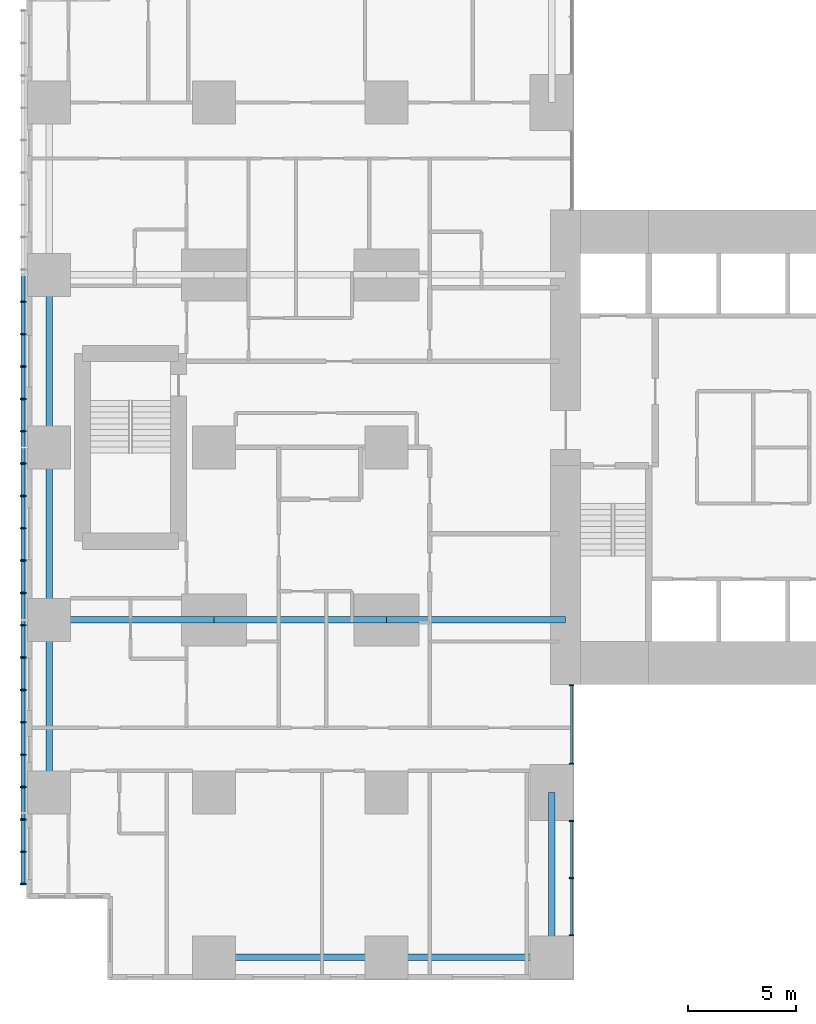
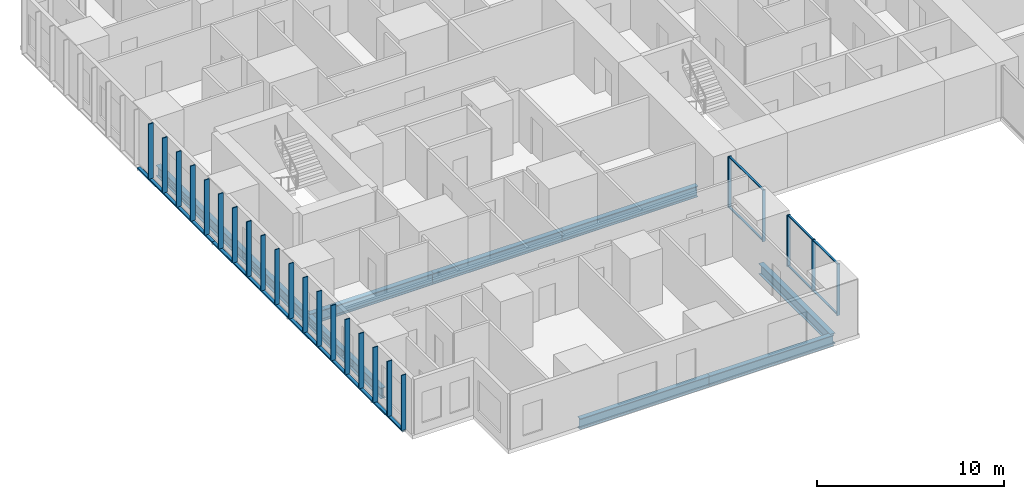
# One storey, part 2 of 20: 33 members, 9 beams, 2 elements without a shape of their own.
"""IFC4 building model written with IfcOpenShell, lengths in metres."""

import ifcopenshell
import ifcopenshell.guid

model = None  # the IFC model being written
_history = None  # IfcOwnerHistory: only IFC2X3 demands one
_inside = {}  # id of a spatial element -> (the spatial element, [elements in it])
_under = {}  # id of a project, library or spatial element -> (it, [spatial elements below it])
_declared = {}  # id of a project -> (the project, [libraries it declares])
_typed = {}  # id of a type object -> (the type object, [elements of that type])
_made_of = {}  # id of a material, layer set ... -> (it, [elements and type objects made of it])


def new_model(schema):
    """Start an empty IFC model of exactly this schema.

    Asked for "IFC4X3", IfcOpenShell would pick the latest addendum, in which some entities
    have other attributes; the version numbers below select the first issue.
    IFC2X3 requires an IfcOwnerHistory on every rooted entity: one is made here for all.
    """
    global model, _history
    if schema == "IFC4X3":
        model = ifcopenshell.file(schema_version=(4, 3, 0, 0))
    else:
        model = ifcopenshell.file(schema=schema)
    _inside.clear()
    _under.clear()
    _declared.clear()
    _typed.clear()
    _made_of.clear()
    _history = None
    if model.schema == "IFC2X3":
        org = make("IfcOrganization", Name="unknown")
        user = make(
            "IfcPersonAndOrganization",
            ThePerson=make("IfcPerson", FamilyName="unknown"),
            TheOrganization=org,
        )
        app = make(
            "IfcApplication",
            ApplicationDeveloper=org,
            Version="unknown",
            ApplicationFullName="unknown",
            ApplicationIdentifier="unknown",
        )
        _history = make(
            "IfcOwnerHistory",
            OwningUser=user,
            OwningApplication=app,
            ChangeAction="ADDED",
            CreationDate=0,
        )
    return model


def make(cls, **values):
    """One entity of the class cls with the attributes given. An attribute that is None is left unset."""
    return model.create_entity(
        cls, **{name: value for name, value in values.items() if value is not None}
    )


def rooted(cls, **values):
    """An entity with a GlobalId (a new one), such as an element, a storey or a relation."""
    return make(cls, GlobalId=ifcopenshell.guid.new(), OwnerHistory=_history, **values)


def si_unit(unit_type, name, prefix=None):
    """IfcSIUnit, for example si_unit("LENGTHUNIT", "METRE", prefix="MILLI")."""
    return make("IfcSIUnit", UnitType=unit_type, Prefix=prefix, Name=name)


def assignment(units):
    """IfcUnitAssignment: the units of a project."""
    return None if units is None else make("IfcUnitAssignment", Units=units)


def point(xyz):
    """IfcCartesianPoint."""
    return None if xyz is None else make("IfcCartesianPoint", Coordinates=xyz)


def direction(xyz):
    """IfcDirection."""
    return None if xyz is None else make("IfcDirection", DirectionRatios=xyz)


def frame(location, z_axis=None, x_axis=None):
    """IfcAxis2Placement3D, a coordinate frame: its origin and axes. An axis left out is left unset."""
    return make(
        "IfcAxis2Placement3D",
        Location=point(location),
        Axis=direction(z_axis),
        RefDirection=direction(x_axis),
    )


def frame_2d(location, x_axis=None):
    """IfcAxis2Placement2D, a coordinate frame in the plane: its origin and x axis."""
    return make(
        "IfcAxis2Placement2D", Location=point(location), RefDirection=direction(x_axis)
    )


def origin():
    """The frame at (0, 0, 0) with its axes left unset."""
    return frame((0.0, 0.0, 0.0))


def origin_2d():
    """The frame at (0, 0) in the plane with its x axis left unset."""
    return frame_2d((0.0, 0.0))


def place(relative_to, where):
    """IfcLocalPlacement: puts the frame where relative to a parent placement (None: the world)."""
    return make(
        "IfcLocalPlacement", PlacementRelTo=relative_to, RelativePlacement=where
    )


def context(
    kind, dimensions, precision=None, world=None, true_north=None, identifier=None
):
    """IfcGeometricRepresentationContext, for example the 3D "Model" context."""
    return make(
        "IfcGeometricRepresentationContext",
        ContextIdentifier=identifier,
        ContextType=kind,
        CoordinateSpaceDimension=dimensions,
        Precision=precision,
        WorldCoordinateSystem=world,
        TrueNorth=true_north,
    )


def subcontext(parent, identifier, kind, view, scale=None):
    """IfcGeometricRepresentationSubContext, for example "Body" below "Model"."""
    return make(
        "IfcGeometricRepresentationSubContext",
        ContextIdentifier=identifier,
        ContextType=kind,
        ParentContext=parent,
        TargetScale=scale,
        TargetView=view,
    )


def project(units=None, contexts=None):
    """IfcProject with its units and contexts."""
    return rooted(
        "IfcProject",
        Name="project",
        RepresentationContexts=contexts,
        UnitsInContext=assignment(units),
    )


def spatial(cls, under=None, at=None, **own):
    """A site, building, storey or space (cls), placed at a placement, below another one or the project."""
    s = rooted(cls, ObjectPlacement=at, **own)
    if under is not None:
        _under.setdefault(under.id(), (under, []))[1].append(s)
    return s


def profile(cls, at=None, kind="AREA", **sizes):
    """A parametric profile (cls). Its sizes go by their IFC names, for example OverallWidth=200.0."""
    return make(cls, ProfileType=kind, Position=at, **sizes)


def rectangle(**sizes):
    """IfcRectangleProfileDef."""
    return profile("IfcRectangleProfileDef", **sizes)


def hollow_rectangle(**sizes):
    """IfcRectangleHollowProfileDef."""
    return profile("IfcRectangleHollowProfileDef", **sizes)


def i_section(**sizes):
    """IfcIShapeProfileDef."""
    return profile("IfcIShapeProfileDef", **sizes)


def extrude(swept, where, along, depth):
    """IfcExtrudedAreaSolid: the profile swept, set in the frame where, extruded along a direction by depth."""
    return make(
        "IfcExtrudedAreaSolid",
        SweptArea=swept,
        Position=where,
        ExtrudedDirection=direction(along),
        Depth=depth,
    )


def shape(context_of_items, identifier, shape_type, items):
    """IfcShapeRepresentation: the items that make up one representation, for example the "Body"."""
    return make(
        "IfcShapeRepresentation",
        ContextOfItems=context_of_items,
        RepresentationIdentifier=identifier,
        RepresentationType=shape_type,
        Items=items,
    )


def material(Name=None, Category=None):
    """IfcMaterial."""
    return make("IfcMaterial", Name=Name, Category=Category)


def layer(
    of_material, thickness, ventilated=None, Name=None, Category=None, Priority=None
):
    """IfcMaterialLayer: one layer of a wall or slab, of a material (None: an air gap)."""
    return make(
        "IfcMaterialLayer",
        Material=of_material,
        LayerThickness=thickness,
        IsVentilated=ventilated,
        Name=Name,
        Category=Category,
        Priority=Priority,
    )


def layer_set(layers, Name=None):
    """IfcMaterialLayerSet."""
    return make("IfcMaterialLayerSet", MaterialLayers=layers, LayerSetName=Name)


def material_profile(
    of_material, cross_section, Name=None, Category=None, Priority=None
):
    """IfcMaterialProfile: a cross section and its material."""
    return make(
        "IfcMaterialProfile",
        Name=Name,
        Material=of_material,
        Profile=cross_section,
        Priority=Priority,
        Category=Category,
    )


def profile_set(profiles, Name=None, composite=None):
    """IfcMaterialProfileSet."""
    return make(
        "IfcMaterialProfileSet",
        Name=Name,
        MaterialProfiles=profiles,
        CompositeProfile=composite,
    )


def made_of(thing, what):
    """Note that an element or type object is made of a material, layer set ...; save() writes the relation."""
    if what is not None:
        _made_of.setdefault(what.id(), (what, []))[1].append(thing)
    return thing


def type_object(cls, material=None, **own):
    """A type object (cls), such as IfcWallType, which elements share."""
    return made_of(rooted(cls, **own), material)


def element(
    cls,
    number,
    at=None,
    inside=None,
    cuts=None,
    type_object=None,
    material=None,
    context=None,
    identifier="Body",
    shape_type=None,
    held_by="IfcProductDefinitionShape",
    body=None,
    shapes=None,
    **own,
):
    """One element of the class cls, such as IfcWall. Its Tag is "e" and its number.

    at: its placement. inside: the storey or other place that contains it. cuts: it is an
    opening in that element (IfcRelVoidsElement). A single representation is given by context,
    identifier, shape_type and body (its items); several are given by shapes. held_by: the class
    of the entity that holds the representations. save() writes the other relations.
    """
    e = rooted(cls, Tag="e%d" % number, ObjectPlacement=at, **own)
    if body is not None:
        shapes = [shape(context, identifier, shape_type, body)]
    if shapes is not None:
        e.Representation = make(held_by, Representations=shapes)
    if inside is not None:
        _inside.setdefault(inside.id(), (inside, []))[1].append(e)
    if cuts is not None:
        rooted(
            "IfcRelVoidsElement", RelatingBuildingElement=cuts, RelatedOpeningElement=e
        )
    if type_object is not None:
        _typed.setdefault(type_object.id(), (type_object, []))[1].append(e)
    return made_of(e, material)


def aggregate(whole, parts):
    """IfcRelAggregates: a whole, such as a stair, and the parts it consists of."""
    return rooted("IfcRelAggregates", RelatingObject=whole, RelatedObjects=parts)


def save(model, path):
    """Write the relations noted so far, then the file.

    IfcRelAggregates (storeys below a building ...), IfcRelContainedInSpatialStructure (elements
    in a storey), IfcRelDefinesByType, IfcRelAssociatesMaterial and IfcRelDeclares: one each for
    every whole, place, type object, material and project.
    """
    for whole, parts in _under.values():
        aggregate(whole, parts)
    for where, things in _inside.values():
        rooted(
            "IfcRelContainedInSpatialStructure",
            RelatedElements=things,
            RelatingStructure=where,
        )
    for kind, things in _typed.values():
        rooted("IfcRelDefinesByType", RelatedObjects=things, RelatingType=kind)
    for what, things in _made_of.values():
        rooted("IfcRelAssociatesMaterial", RelatedObjects=things, RelatingMaterial=what)
    for by, libraries in _declared.values():
        rooted("IfcRelDeclares", RelatingContext=by, RelatedDefinitions=libraries)
    model.write(path)


model = new_model("IFC4")

# Units and contexts
model_context = context("Model", 3, precision=1e-05, world=origin(), true_north=direction((0.0, 1.0)))
body_context = subcontext(model_context, "Body", "Model", "MODEL_VIEW")
ifc_project = project(units=[si_unit("LENGTHUNIT", "METRE"), si_unit("AREAUNIT", "SQUARE_METRE"), si_unit("VOLUMEUNIT", "CUBIC_METRE"), si_unit("PLANEANGLEUNIT", "RADIAN"), si_unit("MASSUNIT", "GRAM", prefix="KILO")], contexts=[model_context])

# Site, building, storey
site_placement = place(None, origin())
site = spatial("IfcSite", under=ifc_project, at=site_placement, CompositionType="ELEMENT")
building_placement = place(site_placement, origin())
building = spatial("IfcBuilding", under=site, at=building_placement, Name="Cleftline Residences", CompositionType="ELEMENT")
storey_placement = place(building_placement, frame((0.0, 0.0, 72.800048828125)))
storey = spatial("IfcBuildingStorey", under=building, at=storey_placement, Name="L18", CompositionType="ELEMENT", Elevation=72.800048828125)

# Members
ifc_material_1 = material(Name="Steel S355, hot-dip galvanised", Category="steel")
ifc_material_profile_1 = material_profile(ifc_material_1, hollow_rectangle(XDim=0.10009765625, YDim=0.199951171875, WallThickness=0.008056640625, InnerFilletRadius=0.008056640625, OuterFilletRadius=0.011962890625, at=origin_2d()))
ifc_profile_set_1 = profile_set([ifc_material_profile_1], Name="Steel S355, hot-dip galvanised")
member_type_1 = type_object("IfcMemberType", Name="BAGUETTE CARRIER RHS 200X100X8", PredefinedType="USERDEFINED", material=ifc_profile_set_1)
for number, where, z_axis, x_axis, name in (
    (1, (-0.85009765625, 32.0, -0.050048828125), (0.0, -1.0, 0.0), (0.0, 0.0, 1.0), "Baguette carrier"),
    (2, (-0.85009765625, 24.0, -0.050048828125), (0.0, -1.0, 0.0), (0.0, 0.0, 1.0), "Baguette carrier"),
):
    element("IfcMember", number, at=place(storey_placement, frame(where, z_axis=z_axis, x_axis=x_axis)), inside=storey, type_object=member_type_1, Name=name, ObjectType="BAGUETTE CARRIER", PredefinedType="USERDEFINED", context=body_context, shape_type="SweptSolid", body=[
        extrude(hollow_rectangle(XDim=0.10009765625, YDim=0.199951171875, WallThickness=0.008056640625, InnerFilletRadius=0.008056640625, OuterFilletRadius=0.011962890625, at=origin_2d()), origin(), (0.0, 0.0, 1.0), 8.0),
    ])
member_1_placement = place(storey_placement, frame((-0.85009765625, 16.0, -0.050048828125), z_axis=(0.0, -1.0, 0.0), x_axis=(0.0, 0.0, 1.0)))
element("IfcMember", 3, at=member_1_placement, inside=storey, type_object=member_type_1, Name="Baguette carrier", ObjectType="BAGUETTE CARRIER", PredefinedType="USERDEFINED", context=body_context, shape_type="SweptSolid", body=[
    extrude(hollow_rectangle(XDim=0.10009765625, YDim=0.199951171875, WallThickness=0.008056640625, InnerFilletRadius=0.008056640625, OuterFilletRadius=0.011962890625, at=origin_2d()), origin(), (0.0, 0.0, 1.0), 12.300048828125),
])

# Beams
ifc_material_2 = material(Name="Steel S355", Category="steel")
ifc_material_profile_2 = material_profile(ifc_material_2, i_section(OverallWidth=0.300048828125, OverallDepth=0.699951171875, WebThickness=0.01708984375, FlangeThickness=0.031982421875, FilletRadius=0.027099609375, at=origin_2d()))
ifc_profile_set_2 = profile_set([ifc_material_profile_2], Name="Steel S355")
beam_type_1 = type_object("IfcBeamType", Name="BEAM HEB 700", PredefinedType="BEAM", material=ifc_profile_set_2)
for number, where, z_axis, x_axis, name in (
    (4, (0.35009765625, 8.0, -0.60009765625), (0.0, 1.0, 0.0), (-1.0, 0.0, 0.0), "Edge beam"),
    (5, (0.35009765625, 16.0, -0.60009765625), (0.0, 1.0, 0.0), (-1.0, 0.0, 0.0), "Edge beam"),
    (6, (0.35009765625, 24.0, -0.60009765625), (0.0, 1.0, 0.0), (-1.0, 0.0, 0.0), "Edge beam"),
    (7, (8.0, 0.35009765625, -0.60009765625), (1.0, 0.0, 0.0), (0.0, 1.0, 0.0), "Edge beam"),
):
    element("IfcBeam", number, at=place(storey_placement, frame(where, z_axis=z_axis, x_axis=x_axis)), inside=storey, type_object=beam_type_1, Name=name, PredefinedType="BEAM", context=body_context, shape_type="SweptSolid", body=[
        extrude(i_section(OverallWidth=0.300048828125, OverallDepth=0.699951171875, WebThickness=0.01708984375, FlangeThickness=0.031982421875, FilletRadius=0.027099609375, at=origin_2d()), origin(), (0.0, 0.0, 1.0), 8.0),
    ])
for number, where, z_axis, x_axis, name in (
    (8, (16.0, 0.35009765625, -0.60009765625), (1.0, 0.0, 0.0), (0.0, 1.0, 0.0), "Edge beam"),
    (9, (23.64990234375, 0.35009765625, -0.60009765625), (0.0, 1.0, 0.0), (-1.0, 0.0, 0.0), "Edge beam"),
):
    element("IfcBeam", number, at=place(storey_placement, frame(where, z_axis=z_axis, x_axis=x_axis)), inside=storey, type_object=beam_type_1, Name=name, PredefinedType="BEAM", context=body_context, shape_type="SweptSolid", body=[
        extrude(i_section(OverallWidth=0.300048828125, OverallDepth=0.699951171875, WebThickness=0.01708984375, FlangeThickness=0.031982421875, FilletRadius=0.027099609375, at=origin_2d()), origin(), (0.0, 0.0, 1.0), 7.64990234375),
    ])
ifc_material_3 = material(Name="Steel S355", Category="steel")
ifc_material_profile_3 = material_profile(ifc_material_3, i_section(OverallWidth=0.303955078125, OverallDepth=0.716064453125, WebThickness=0.02099609375, FlangeThickness=0.0400390625, FilletRadius=0.027099609375, at=origin_2d()))
ifc_profile_set_3 = profile_set([ifc_material_profile_3], Name="Steel S355")
beam_type_2 = type_object("IfcBeamType", Name="BEAM HEM 700", PredefinedType="BEAM", material=ifc_profile_set_3)
beam_1_placement = place(storey_placement, frame((0.35009765625, 16.0, -0.608154296875), z_axis=(1.0, 0.0, 0.0), x_axis=(0.0, 1.0, 0.0)))
element("IfcBeam", 10, at=beam_1_placement, inside=storey, type_object=beam_type_2, Name="Band beam", PredefinedType="BEAM", context=body_context, shape_type="SweptSolid", body=[
    extrude(i_section(OverallWidth=0.303955078125, OverallDepth=0.716064453125, WebThickness=0.02099609375, FlangeThickness=0.0400390625, FilletRadius=0.027099609375, at=origin_2d()), origin(), (0.0, 0.0, 1.0), 7.64990234375),
])
beam_2_placement = place(storey_placement, frame((8.0, 16.0, -0.608154296875), z_axis=(1.0, 0.0, 0.0), x_axis=(0.0, 1.0, 0.0)))
element("IfcBeam", 11, at=beam_2_placement, inside=storey, type_object=beam_type_2, Name="Band beam", PredefinedType="BEAM", context=body_context, shape_type="SweptSolid", body=[
    extrude(i_section(OverallWidth=0.303955078125, OverallDepth=0.716064453125, WebThickness=0.02099609375, FlangeThickness=0.0400390625, FilletRadius=0.027099609375, at=origin_2d()), origin(), (0.0, 0.0, 1.0), 8.0),
])
beam_3_placement = place(storey_placement, frame((16.0, 16.0, -0.608154296875), z_axis=(1.0, 0.0, 0.0), x_axis=(0.0, 1.0, 0.0)))
element("IfcBeam", 12, at=beam_3_placement, inside=storey, type_object=beam_type_2, Name="Band beam", PredefinedType="BEAM", context=body_context, shape_type="SweptSolid", body=[
    extrude(i_section(OverallWidth=0.303955078125, OverallDepth=0.716064453125, WebThickness=0.02099609375, FlangeThickness=0.0400390625, FilletRadius=0.027099609375, at=origin_2d()), origin(), (0.0, 0.0, 1.0), 8.300048828125),
])

# Curtain wall, members
ifc_material_4 = material(Name="Aluminium framed curtain wall", Category="aluminium")
ifc_layer = layer(ifc_material_4, 0.199951171875)
ifc_layer_set = layer_set([ifc_layer], Name="CW1 CLEFT GLAZING")
curtain_wall_type = type_object("IfcCurtainWallType", Name="CW1 CLEFT GLAZING", PredefinedType="NOTDEFINED", material=ifc_layer_set)
curtain_wall_1_placement = place(storey_placement, origin())
curtain_wall_1 = element("IfcCurtainWall", 13, at=curtain_wall_1_placement, inside=storey, type_object=curtain_wall_type, Name="Curtain wall CW1", PredefinedType="NOTDEFINED")
ifc_material_5 = material(Name="Aluminium mullion", Category="aluminium")
ifc_material_profile_4 = material_profile(ifc_material_5, rectangle(XDim=0.199951171875, YDim=0.06005859375, at=origin_2d()))
ifc_profile_set_4 = profile_set([ifc_material_profile_4], Name="Aluminium mullion")
member_type_2 = type_object("IfcMemberType", Name="CW1 MULLION", PredefinedType="MULLION", material=ifc_profile_set_4)
member_2_placement = place(storey_placement, frame((24.574951171875, 1.3798828125, 0.0), z_axis=(0.0, 0.0, 1.0), x_axis=(-1.0, 0.0, 0.0)))
member_2 = element("IfcMember", 14, at=member_2_placement, type_object=member_type_2, Name="CW1 mullion 1", PredefinedType="MULLION", context=body_context, shape_type="SweptSolid", body=[
    extrude(rectangle(XDim=0.199951171875, YDim=0.06005859375, at=origin_2d()), origin(), (0.0, 0.0, 1.0), 3.349853515625),
])
member_3_placement = place(storey_placement, frame((24.574951171875, 4.02490234375, 0.0), z_axis=(0.0, 0.0, 1.0), x_axis=(-1.0, 0.0, 0.0)))
member_3 = element("IfcMember", 15, at=member_3_placement, type_object=member_type_2, Name="CW1 mullion 2", PredefinedType="MULLION", context=body_context, shape_type="SweptSolid", body=[
    extrude(rectangle(XDim=0.199951171875, YDim=0.06005859375, at=origin_2d()), origin(), (0.0, 0.0, 1.0), 3.349853515625),
])
member_4_placement = place(storey_placement, frame((24.574951171875, 6.669921875, 0.0), z_axis=(0.0, 0.0, 1.0), x_axis=(-1.0, 0.0, 0.0)))
member_4 = element("IfcMember", 16, at=member_4_placement, type_object=member_type_2, Name="CW1 mullion 3", PredefinedType="MULLION", context=body_context, shape_type="SweptSolid", body=[
    extrude(rectangle(XDim=0.199951171875, YDim=0.06005859375, at=origin_2d()), origin(), (0.0, 0.0, 1.0), 3.349853515625),
])

curtain_wall_2_placement = place(storey_placement, origin())
curtain_wall_2 = element("IfcCurtainWall", 17, at=curtain_wall_2_placement, inside=storey, type_object=curtain_wall_type, Name="Curtain wall CW1", PredefinedType="NOTDEFINED")
member_5_placement = place(storey_placement, frame((24.574951171875, 9.330078125, 0.0), z_axis=(0.0, 0.0, 1.0), x_axis=(-1.0, 0.0, 0.0)))
member_5 = element("IfcMember", 18, at=member_5_placement, type_object=member_type_2, Name="CW1 mullion 1", PredefinedType="MULLION", context=body_context, shape_type="SweptSolid", body=[
    extrude(rectangle(XDim=0.199951171875, YDim=0.06005859375, at=origin_2d()), origin(), (0.0, 0.0, 1.0), 3.349853515625),
])
member_6_placement = place(storey_placement, frame((24.574951171875, 12.969970703125, 0.0), z_axis=(0.0, 0.0, 1.0), x_axis=(-1.0, 0.0, 0.0)))
member_6 = element("IfcMember", 19, at=member_6_placement, type_object=member_type_2, Name="CW1 mullion 2", PredefinedType="MULLION", context=body_context, shape_type="SweptSolid", body=[
    extrude(rectangle(XDim=0.199951171875, YDim=0.06005859375, at=origin_2d()), origin(), (0.0, 0.0, 1.0), 3.349853515625),
])

# Member
ifc_material_6 = material(Name="Aluminium transom", Category="aluminium")
ifc_material_profile_5 = material_profile(ifc_material_6, rectangle(XDim=0.1201171875, YDim=0.06005859375, at=origin_2d()))
ifc_profile_set_5 = profile_set([ifc_material_profile_5], Name="Aluminium transom")
member_type_3 = type_object("IfcMemberType", Name="CW1 TRANSOM", PredefinedType="USERDEFINED", material=ifc_profile_set_5)
member_7_placement = place(storey_placement, frame((24.574951171875, 1.409912109375, 0.030029296875), z_axis=(0.0, 1.0, 0.0), x_axis=(-1.0, 0.0, 0.0)))
member_7 = element("IfcMember", 20, at=member_7_placement, type_object=member_type_3, Name="CW1 transom 1.1", ObjectType="TRANSOM", PredefinedType="USERDEFINED", context=body_context, shape_type="SweptSolid", body=[
    extrude(rectangle(XDim=0.1201171875, YDim=0.06005859375, at=origin_2d()), origin(), (0.0, 0.0, 1.0), 2.585205078125),
])

member_8_placement = place(storey_placement, frame((24.574951171875, 1.409912109375, 3.320068359375), z_axis=(0.0, 1.0, 0.0), x_axis=(-1.0, 0.0, 0.0)))
member_8 = element("IfcMember", 21, at=member_8_placement, type_object=member_type_3, Name="CW1 transom 1.2", ObjectType="TRANSOM", PredefinedType="USERDEFINED", context=body_context, shape_type="SweptSolid", body=[
    extrude(rectangle(XDim=0.1201171875, YDim=0.06005859375, at=origin_2d()), origin(), (0.0, 0.0, 1.0), 2.585205078125),
])

member_9_placement = place(storey_placement, frame((24.574951171875, 4.054931640625, 0.030029296875), z_axis=(0.0, 1.0, 0.0), x_axis=(-1.0, 0.0, 0.0)))
member_9 = element("IfcMember", 22, at=member_9_placement, type_object=member_type_3, Name="CW1 transom 2.1", ObjectType="TRANSOM", PredefinedType="USERDEFINED", context=body_context, shape_type="SweptSolid", body=[
    extrude(rectangle(XDim=0.1201171875, YDim=0.06005859375, at=origin_2d()), origin(), (0.0, 0.0, 1.0), 2.5849609375),
])

member_10_placement = place(storey_placement, frame((24.574951171875, 4.054931640625, 3.320068359375), z_axis=(0.0, 1.0, 0.0), x_axis=(-1.0, 0.0, 0.0)))
member_10 = element("IfcMember", 23, at=member_10_placement, type_object=member_type_3, Name="CW1 transom 2.2", ObjectType="TRANSOM", PredefinedType="USERDEFINED", context=body_context, shape_type="SweptSolid", body=[
    extrude(rectangle(XDim=0.1201171875, YDim=0.06005859375, at=origin_2d()), origin(), (0.0, 0.0, 1.0), 2.5849609375),
])

aggregate(curtain_wall_1, [member_2, member_3, member_4, member_7, member_8, member_9, member_10])

member_11_placement = place(storey_placement, frame((24.574951171875, 9.360107421875, 0.030029296875), z_axis=(0.0, 1.0, 0.0), x_axis=(-1.0, 0.0, 0.0)))
member_11 = element("IfcMember", 24, at=member_11_placement, type_object=member_type_3, Name="CW1 transom 1.1", ObjectType="TRANSOM", PredefinedType="USERDEFINED", context=body_context, shape_type="SweptSolid", body=[
    extrude(rectangle(XDim=0.1201171875, YDim=0.06005859375, at=origin_2d()), origin(), (0.0, 0.0, 1.0), 3.579833984375),
])

member_12_placement = place(storey_placement, frame((24.574951171875, 9.360107421875, 3.320068359375), z_axis=(0.0, 1.0, 0.0), x_axis=(-1.0, 0.0, 0.0)))
member_12 = element("IfcMember", 25, at=member_12_placement, type_object=member_type_3, Name="CW1 transom 1.2", ObjectType="TRANSOM", PredefinedType="USERDEFINED", context=body_context, shape_type="SweptSolid", body=[
    extrude(rectangle(XDim=0.1201171875, YDim=0.06005859375, at=origin_2d()), origin(), (0.0, 0.0, 1.0), 3.579833984375),
])

aggregate(curtain_wall_2, [member_5, member_6, member_11, member_12])

# Members
ifc_material_7 = material(Name="Extruded terracotta", Category="masonry")
ifc_material_profile_6 = material_profile(ifc_material_7, rectangle(XDim=0.06005859375, YDim=0.300048828125, at=origin_2d()))
ifc_profile_set_6 = profile_set([ifc_material_profile_6], Name="Extruded terracotta")
member_type_4 = type_object("IfcMemberType", Name="TERRACOTTA BAGUETTE 60X300", PredefinedType="USERDEFINED", material=ifc_profile_set_6)
for number, where, z_axis, x_axis, name in (
    (26, (-0.85009765625, 30.75, 0.0), (0.0, 0.0, 1.0), (0.0, 1.0, 0.0), "Terracotta baguette"),
    (27, (-0.85009765625, 29.25, 0.0), (0.0, 0.0, 1.0), (0.0, 1.0, 0.0), "Terracotta baguette"),
    (28, (-0.85009765625, 27.75, 0.0), (0.0, 0.0, 1.0), (0.0, 1.0, 0.0), "Terracotta baguette"),
    (29, (-0.85009765625, 26.25, 0.0), (0.0, 0.0, 1.0), (0.0, 1.0, 0.0), "Terracotta baguette"),
    (30, (-0.85009765625, 24.75, 0.0), (0.0, 0.0, 1.0), (0.0, 1.0, 0.0), "Terracotta baguette"),
    (31, (-0.85009765625, 23.25, 0.0), (0.0, 0.0, 1.0), (0.0, 1.0, 0.0), "Terracotta baguette"),
    (32, (-0.85009765625, 21.75, 0.0), (0.0, 0.0, 1.0), (0.0, 1.0, 0.0), "Terracotta baguette"),
    (33, (-0.85009765625, 20.25, 0.0), (0.0, 0.0, 1.0), (0.0, 1.0, 0.0), "Terracotta baguette"),
    (34, (-0.85009765625, 18.75, 0.0), (0.0, 0.0, 1.0), (0.0, 1.0, 0.0), "Terracotta baguette"),
    (35, (-0.85009765625, 17.25, 0.0), (0.0, 0.0, 1.0), (0.0, 1.0, 0.0), "Terracotta baguette"),
    (36, (-0.85009765625, 15.75, 0.0), (0.0, 0.0, 1.0), (0.0, 1.0, 0.0), "Terracotta baguette"),
    (37, (-0.85009765625, 14.25, 0.0), (0.0, 0.0, 1.0), (0.0, 1.0, 0.0), "Terracotta baguette"),
    (38, (-0.85009765625, 12.75, 0.0), (0.0, 0.0, 1.0), (0.0, 1.0, 0.0), "Terracotta baguette"),
    (39, (-0.85009765625, 11.25, 0.0), (0.0, 0.0, 1.0), (0.0, 1.0, 0.0), "Terracotta baguette"),
    (40, (-0.85009765625, 9.75, 0.0), (0.0, 0.0, 1.0), (0.0, 1.0, 0.0), "Terracotta baguette"),
    (41, (-0.85009765625, 8.25, 0.0), (0.0, 0.0, 1.0), (0.0, 1.0, 0.0), "Terracotta baguette"),
    (42, (-0.85009765625, 6.75, 0.0), (0.0, 0.0, 1.0), (0.0, 1.0, 0.0), "Terracotta baguette"),
    (43, (-0.85009765625, 5.25, 0.0), (0.0, 0.0, 1.0), (0.0, 1.0, 0.0), "Terracotta baguette"),
    (44, (-0.85009765625, 3.75, 0.0), (0.0, 0.0, 1.0), (0.0, 1.0, 0.0), "Terracotta baguette"),
):
    element("IfcMember", number, at=place(storey_placement, frame(where, z_axis=z_axis, x_axis=x_axis)), inside=storey, type_object=member_type_4, Name=name, ObjectType="BAGUETTE", PredefinedType="USERDEFINED", context=body_context, shape_type="SweptSolid", body=[
        extrude(rectangle(XDim=0.06005859375, YDim=0.300048828125, at=origin_2d()), origin(), (0.0, 0.0, 1.0), 3.599853515625),
    ])

save(model, "model.ifc")
